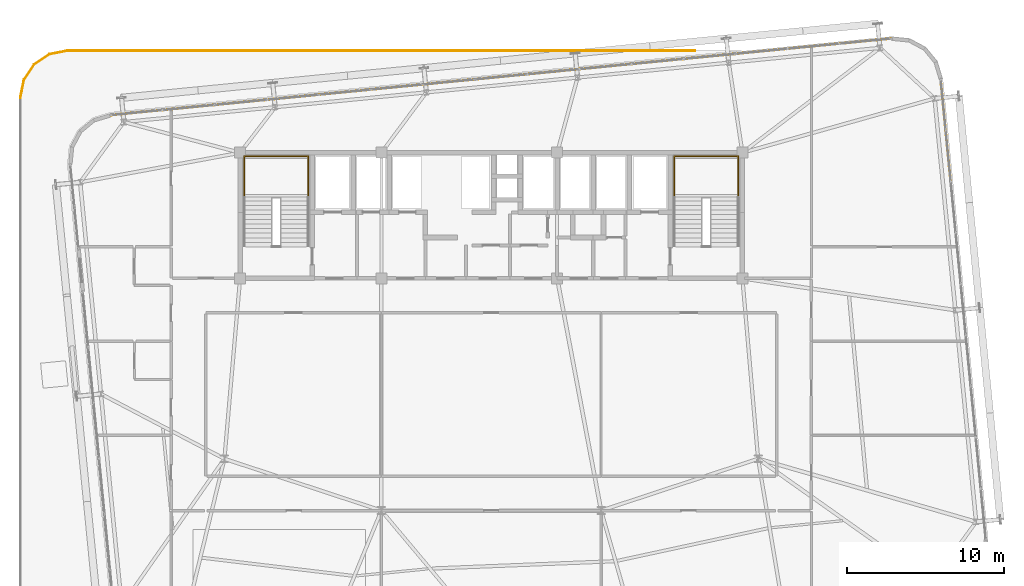
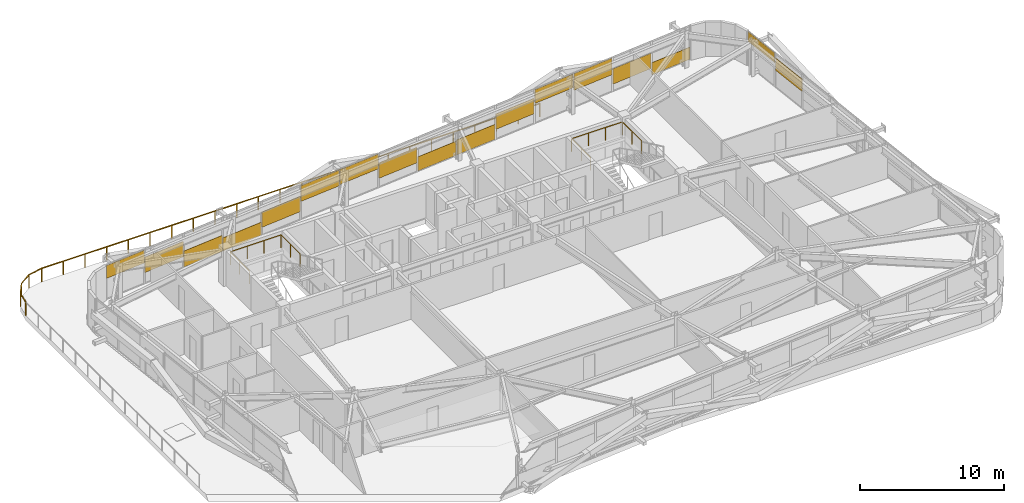
# One storey, part 51 of 51: 17 coverings, 7 railings.
"""IFC4 building model written with IfcOpenShell, lengths in metres."""

from ifc_helpers import new_model, si_unit, direction, frame, origin, origin_2d, place, context, subcontext, project, spatial, rectangle, extrude, source, transform, mapped, material, layer, layer_set, type_object, element, save


model = new_model("IFC4")

# Units and contexts
model_context = context("Model", 3, precision=1e-05, world=origin(), true_north=direction((0.0, 1.0)))
body_context = subcontext(model_context, "Body", "Model", "MODEL_VIEW")
ifc_project = project(units=[si_unit("LENGTHUNIT", "METRE"), si_unit("AREAUNIT", "SQUARE_METRE"), si_unit("VOLUMEUNIT", "CUBIC_METRE"), si_unit("PLANEANGLEUNIT", "RADIAN"), si_unit("MASSUNIT", "GRAM", prefix="KILO")], contexts=[model_context])

# Site, building, storey
site_placement = place(None, origin())
site = spatial("IfcSite", under=ifc_project, at=site_placement, CompositionType="ELEMENT")
building_placement = place(site_placement, origin())
building = spatial("IfcBuilding", under=site, at=building_placement, Name="Taldren Reach Tower", CompositionType="ELEMENT")
storey_placement = place(building_placement, frame((0.0, 0.0, 65.10009765625)))
storey = spatial("IfcBuildingStorey", under=building, at=storey_placement, Name="L19", CompositionType="ELEMENT", Elevation=65.10009765625)

# Railings
ifc_material_1 = material(Name="Steel Gr 350 (C350L0)", Category="steel")
ifc_layer_1 = layer(ifc_material_1, 0.050048828125)
ifc_layer_set_1 = layer_set([ifc_layer_1], Name="Steel Gr 350 (C350L0)")
railing_type_1 = type_object("IfcRailingType", Name="RL-STAIR-GR", PredefinedType="GUARDRAIL", material=ifc_layer_set_1)
for number, where, name in (
    (1, (19.260009765625, 29.135009765625, 1.574951171875), "Stair half-landing perimeter guard ST1-L19"),
    (2, (46.659912109375, 29.135009765625, 1.574951171875), "Stair half-landing perimeter guard ST2-L19"),
):
    element("IfcRailing", number, at=place(storey_placement, frame(where)), inside=storey, type_object=railing_type_1, Name=name, PredefinedType="GUARDRAIL", context=body_context, shape_type="SweptSolid", body=[
        extrude(rectangle(XDim=0.047852, YDim=0.047852, at=origin_2d()), frame((0.0, 0.0, 1.09619140625), z_axis=(0.0, 1.0, 0.0), x_axis=(-1.0, 0.0, 0.0)), (0.0, 0.0, 1.0), 2.64501953125),
        extrude(rectangle(XDim=0.047852, YDim=0.047852, at=origin_2d()), frame((0.0, 2.64501953125, 1.09619140625), z_axis=(1.0, 0.0, 0.0), x_axis=(0.0, 1.0, 0.0)), (0.0, 0.0, 1.0), 4.080078125),
        extrude(rectangle(XDim=0.047852, YDim=0.047852, at=origin_2d()), frame((4.080078125, 2.64501953125, 1.09619140625), z_axis=(0.0, -1.0, 0.0), x_axis=(1.0, 0.0, 0.0)), (0.0, 0.0, 1.0), 2.64501953125),
        extrude(rectangle(XDim=0.041992, YDim=0.041992, at=origin_2d()), origin(), (0.0, 0.0, 1.0), 1.072021484375),
        extrude(rectangle(XDim=0.041992, YDim=0.041992, at=origin_2d()), frame((0.0, 1.322509765625, 0.0)), (0.0, 0.0, 1.0), 1.072021484375),
        extrude(rectangle(XDim=0.041992, YDim=0.041992, at=origin_2d()), frame((0.0, 2.64501953125, 0.0)), (0.0, 0.0, 1.0), 1.072021484375),
        extrude(rectangle(XDim=0.041992, YDim=0.041992, at=origin_2d()), frame((1.360107421875, 2.64501953125, 0.0)), (0.0, 0.0, 1.0), 1.072021484375),
        extrude(rectangle(XDim=0.041992, YDim=0.041992, at=origin_2d()), frame((2.719970703125, 2.64501953125, 0.0)), (0.0, 0.0, 1.0), 1.072021484375),
        extrude(rectangle(XDim=0.041992, YDim=0.041992, at=origin_2d()), frame((4.080078125, 2.64501953125, 0.0)), (0.0, 0.0, 1.0), 1.072021484375),
        extrude(rectangle(XDim=0.041992, YDim=0.041992, at=origin_2d()), frame((4.080078125, 1.322509765625, 0.0)), (0.0, 0.0, 1.0), 1.072021484375),
        extrude(rectangle(XDim=0.041992, YDim=0.041992, at=origin_2d()), frame((4.080078125, 0.0, 0.0)), (0.0, 0.0, 1.0), 1.072021484375),
    ])
ifc_material_2 = material(Name="Laminated Glass and Pale-Anodised Aluminium Balustrade", Category="aluminium")
ifc_layer_2 = layer(ifc_material_2, 0.070068359375)
ifc_layer_set_2 = layer_set([ifc_layer_2], Name="Laminated Glass and Pale-Anodised Aluminium Balustrade")
railing_type_2 = type_object("IfcRailingType", Name="RL-TERR-1150", PredefinedType="GUARDRAIL", material=ifc_layer_set_2)
railing_1_placement = place(storey_placement, frame((5.0, 35.5, 0.0)))
element("IfcRailing", 3, at=railing_1_placement, inside=storey, type_object=railing_type_2, Name="Outdoor terrace guardrail TERR-L19-1-05", PredefinedType="GUARDRAIL", context=body_context, shape_type="SweptSolid", body=[
    extrude(rectangle(XDim=0.047852, YDim=0.047852, at=origin_2d()), frame((0.0, 0.0, 1.1259765625), z_axis=(0.195233589627, 0.980756771825, 0.0), x_axis=(-0.980756771825, 0.195233589627, 0.0)), (0.0, 0.0, 1.0), 1.17041015625),
    extrude(rectangle(XDim=0.041992, YDim=0.041992, at=origin_2d()), origin(), (0.0, 0.0, 1.0), 1.101806640625),
    extrude(rectangle(XDim=0.041992, YDim=0.041992, at=origin_2d()), frame((0.228515625, 1.14794921875, 0.0)), (0.0, 0.0, 1.0), 1.101806640625),
])
railing_2_placement = place(storey_placement, frame((5.228515625, 36.64794921875, 0.0)))
element("IfcRailing", 4, at=railing_2_placement, inside=storey, type_object=railing_type_2, Name="Outdoor terrace guardrail TERR-L19-1-06", PredefinedType="GUARDRAIL", context=body_context, shape_type="SweptSolid", body=[
    extrude(rectangle(XDim=0.047852, YDim=0.047852, at=origin_2d()), frame((0.0, 0.0, 1.1259765625), z_axis=(0.555421960548, 0.83156866568, 0.0), x_axis=(-0.83156866568, 0.555421960548, 0.0)), (0.0, 0.0, 1.0), 1.170654296875),
    extrude(rectangle(XDim=0.041992, YDim=0.041992, at=origin_2d()), origin(), (0.0, 0.0, 1.0), 1.101806640625),
    extrude(rectangle(XDim=0.041992, YDim=0.041992, at=origin_2d()), frame((0.650146484375, 0.973388671875, 0.0)), (0.0, 0.0, 1.0), 1.101806640625),
])
railing_3_placement = place(storey_placement, frame((5.878662109375, 37.621337890625, 0.0)))
element("IfcRailing", 5, at=railing_3_placement, inside=storey, type_object=railing_type_2, Name="Outdoor terrace guardrail TERR-L19-1-07", PredefinedType="GUARDRAIL", context=body_context, shape_type="SweptSolid", body=[
    extrude(rectangle(XDim=0.047852, YDim=0.047852, at=origin_2d()), frame((0.0, 0.0, 1.1259765625), z_axis=(0.83156866568, 0.555421960548, 0.0), x_axis=(-0.555421960548, 0.83156866568, 0.0)), (0.0, 0.0, 1.0), 1.170654296875),
    extrude(rectangle(XDim=0.041992, YDim=0.041992, at=origin_2d()), origin(), (0.0, 0.0, 1.0), 1.101806640625),
    extrude(rectangle(XDim=0.041992, YDim=0.041992, at=origin_2d()), frame((0.973388671875, 0.650146484375, 0.0)), (0.0, 0.0, 1.0), 1.101806640625),
])
railing_4_placement = place(storey_placement, frame((6.85205078125, 38.271484375, 0.0)))
element("IfcRailing", 6, at=railing_4_placement, inside=storey, type_object=railing_type_2, Name="Outdoor terrace guardrail TERR-L19-1-08", PredefinedType="GUARDRAIL", context=body_context, shape_type="SweptSolid", body=[
    extrude(rectangle(XDim=0.047852, YDim=0.047852, at=origin_2d()), frame((0.0, 0.0, 1.1259765625), z_axis=(0.980756771825, 0.195233589627, 0.0), x_axis=(-0.195233589627, 0.980756771825, 0.0)), (0.0, 0.0, 1.0), 1.17041015625),
    extrude(rectangle(XDim=0.041992, YDim=0.041992, at=origin_2d()), origin(), (0.0, 0.0, 1.0), 1.101806640625),
    extrude(rectangle(XDim=0.041992, YDim=0.041992, at=origin_2d()), frame((1.14794921875, 0.228515625, 0.0)), (0.0, 0.0, 1.0), 1.101806640625),
])
railing_5_placement = place(storey_placement, frame((8.0, 38.5, 0.0)))
element("IfcRailing", 7, at=railing_5_placement, inside=storey, type_object=railing_type_2, Name="Outdoor terrace guardrail TERR-L19-1-09", PredefinedType="GUARDRAIL", context=body_context, shape_type="SweptSolid", body=[
    extrude(rectangle(XDim=0.047852, YDim=0.047852, at=origin_2d()), frame((0.0, 0.0, 1.1259765625), z_axis=(1.0, 0.0, 0.0), x_axis=(0.0, 1.0, 0.0)), (0.0, 0.0, 1.0), 39.990966796875),
    extrude(rectangle(XDim=0.041992, YDim=0.041992, at=origin_2d()), origin(), (0.0, 0.0, 1.0), 1.101806640625),
    extrude(rectangle(XDim=0.041992, YDim=0.041992, at=origin_2d()), frame((1.73876953125, 0.0, 0.0)), (0.0, 0.0, 1.0), 1.101806640625),
    extrude(rectangle(XDim=0.041992, YDim=0.041992, at=origin_2d()), frame((3.4775390625, 0.0, 0.0)), (0.0, 0.0, 1.0), 1.101806640625),
    extrude(rectangle(XDim=0.041992, YDim=0.041992, at=origin_2d()), frame((5.21630859375, 0.0, 0.0)), (0.0, 0.0, 1.0), 1.101806640625),
    extrude(rectangle(XDim=0.041992, YDim=0.041992, at=origin_2d()), frame((6.954833984375, 0.0, 0.0)), (0.0, 0.0, 1.0), 1.101806640625),
    extrude(rectangle(XDim=0.041992, YDim=0.041992, at=origin_2d()), frame((8.693603515625, 0.0, 0.0)), (0.0, 0.0, 1.0), 1.101806640625),
    extrude(rectangle(XDim=0.041992, YDim=0.041992, at=origin_2d()), frame((10.432373046875, 0.0, 0.0)), (0.0, 0.0, 1.0), 1.101806640625),
    extrude(rectangle(XDim=0.041992, YDim=0.041992, at=origin_2d()), frame((12.171142578125, 0.0, 0.0)), (0.0, 0.0, 1.0), 1.101806640625),
    extrude(rectangle(XDim=0.041992, YDim=0.041992, at=origin_2d()), frame((13.909912109375, 0.0, 0.0)), (0.0, 0.0, 1.0), 1.101806640625),
    extrude(rectangle(XDim=0.041992, YDim=0.041992, at=origin_2d()), frame((15.648681640625, 0.0, 0.0)), (0.0, 0.0, 1.0), 1.101806640625),
    extrude(rectangle(XDim=0.041992, YDim=0.041992, at=origin_2d()), frame((17.387451171875, 0.0, 0.0)), (0.0, 0.0, 1.0), 1.101806640625),
    extrude(rectangle(XDim=0.041992, YDim=0.041992, at=origin_2d()), frame((19.126220703125, 0.0, 0.0)), (0.0, 0.0, 1.0), 1.101806640625),
    extrude(rectangle(XDim=0.041992, YDim=0.041992, at=origin_2d()), frame((20.86474609375, 0.0, 0.0)), (0.0, 0.0, 1.0), 1.101806640625),
    extrude(rectangle(XDim=0.041992, YDim=0.041992, at=origin_2d()), frame((22.603515625, 0.0, 0.0)), (0.0, 0.0, 1.0), 1.101806640625),
    extrude(rectangle(XDim=0.041992, YDim=0.041992, at=origin_2d()), frame((24.34228515625, 0.0, 0.0)), (0.0, 0.0, 1.0), 1.101806640625),
    extrude(rectangle(XDim=0.041992, YDim=0.041992, at=origin_2d()), frame((26.0810546875, 0.0, 0.0)), (0.0, 0.0, 1.0), 1.101806640625),
    extrude(rectangle(XDim=0.041992, YDim=0.041992, at=origin_2d()), frame((27.81982421875, 0.0, 0.0)), (0.0, 0.0, 1.0), 1.101806640625),
    extrude(rectangle(XDim=0.041992, YDim=0.041992, at=origin_2d()), frame((29.55859375, 0.0, 0.0)), (0.0, 0.0, 1.0), 1.101806640625),
    extrude(rectangle(XDim=0.041992, YDim=0.041992, at=origin_2d()), frame((31.29736328125, 0.0, 0.0)), (0.0, 0.0, 1.0), 1.101806640625),
    extrude(rectangle(XDim=0.041992, YDim=0.041992, at=origin_2d()), frame((33.0361328125, 0.0, 0.0)), (0.0, 0.0, 1.0), 1.101806640625),
    extrude(rectangle(XDim=0.041992, YDim=0.041992, at=origin_2d()), frame((34.774658203125, 0.0, 0.0)), (0.0, 0.0, 1.0), 1.101806640625),
    extrude(rectangle(XDim=0.041992, YDim=0.041992, at=origin_2d()), frame((36.513427734375, 0.0, 0.0)), (0.0, 0.0, 1.0), 1.101806640625),
    extrude(rectangle(XDim=0.041992, YDim=0.041992, at=origin_2d()), frame((38.252197265625, 0.0, 0.0)), (0.0, 0.0, 1.0), 1.101806640625),
    extrude(rectangle(XDim=0.041992, YDim=0.041992, at=origin_2d()), frame((39.990966796875, 0.0, 0.0)), (0.0, 0.0, 1.0), 1.101806640625),
])

# Coverings
ifc_material_3 = material(Name="Pale Champagne Fluoropolymer Aluminium Spandrel Cladding", Category="aluminium")
ifc_layer_3 = layer(ifc_material_3, 0.0439453125)
ifc_layer_set_3 = layer_set([ifc_layer_3], Name="Pale Champagne Fluoropolymer Aluminium Spandrel Cladding")
covering_type = type_object("IfcCoveringType", Name="CV-CLAD-044", PredefinedType="CLADDING", material=ifc_layer_set_3)
shared_shape_1 = source(origin(), body_context, "Body", "SweptSolid", [
    extrude(rectangle(XDim=3.23583984375, YDim=0.0439453125, at=origin_2d()), origin(), (0.0, 0.0, 1.0), 1.094970703125),
])
covering_1_placement = place(storey_placement, frame((12.42578125, 34.550537109375, 1.77978515625), z_axis=(0.0, 0.0, 1.0), x_axis=(-0.995227390247, -0.097582999046, 0.0)))
element("IfcCovering", 8, at=covering_1_placement, inside=storey, type_object=covering_type, Name="Diagrid closure cladding strip CW-3 panel 15.1 1", PredefinedType="CLADDING", context=body_context, shape_type="MappedRepresentation", body=[
    mapped(shared_shape_1, transform((0.0, 0.0, 0.0), scale=1.0)),
])
shared_shape_2 = source(origin(), body_context, "Body", "SweptSolid", [
    extrude(rectangle(XDim=3.268310546875, YDim=0.0439453125, at=origin_2d()), origin(), (0.0, 0.0, 1.0), 1.3046875),
])
for number, where, z_axis, x_axis, name in (
    (9, (55.5361328125, 38.777587890625, 0.621826171875), (0.0, 0.0, 1.0), (-0.995227390247, -0.097582999046, 0.0), "Diagrid closure cladding strip CW-3 panel 2.1 1"),
    (10, (45.583740234375, 37.8017578125, 0.86279296875), (0.0, 0.0, 1.0), (-0.995227390247, -0.097582999046, 0.0), "Diagrid closure cladding strip CW-3 panel 5.1 1"),
    (11, (35.631591796875, 36.825927734375, 0.782470703125), (0.0, 0.0, 1.0), (-0.995227390247, -0.097582999046, 0.0), "Diagrid closure cladding strip CW-3 panel 8.1 1"),
    (12, (25.67919921875, 35.85009765625, 0.7021484375), (0.0, 0.0, 1.0), (-0.995227390247, -0.097582999046, 0.0), "Diagrid closure cladding strip CW-3 panel 11.1 1"),
    (13, (15.72705078125, 34.874267578125, 0.943115234375), (0.0, 0.0, 1.0), (-0.995227390247, -0.097582999046, 0.0), "Diagrid closure cladding strip CW-3 panel 14.1 1"),
):
    element("IfcCovering", number, at=place(storey_placement, frame(where, z_axis=z_axis, x_axis=x_axis)), inside=storey, type_object=covering_type, Name=name, PredefinedType="CLADDING", context=body_context, shape_type="MappedRepresentation", body=[
        mapped(shared_shape_2, transform((0.0, 0.0, 0.0), scale=1.0)),
    ])
shared_shape_3 = source(origin(), body_context, "Body", "SweptSolid", [
    extrude(rectangle(XDim=3.268310546875, YDim=0.0439453125, at=origin_2d()), origin(), (0.0, 0.0, 1.0), 1.356201171875),
])
covering_2_placement = place(storey_placement, frame((19.04443359375, 35.199462890625, 0.0546875), z_axis=(0.0, 0.0, 1.0), x_axis=(-0.995227390247, -0.097582999046, 0.0)))
element("IfcCovering", 14, at=covering_2_placement, inside=storey, type_object=covering_type, Name="Diagrid closure cladding strip CW-3 panel 13.1 1", PredefinedType="CLADDING", context=body_context, shape_type="MappedRepresentation", body=[
    mapped(shared_shape_3, transform((0.0, 0.0, 0.0), scale=1.0)),
])
shared_shape_4 = source(origin(), body_context, "Body", "SweptSolid", [
    extrude(rectangle(XDim=3.268310546875, YDim=0.0439453125, at=origin_2d()), origin(), (0.0, 0.0, 1.0), 1.115234375),
])
covering_3_placement = place(storey_placement, frame((22.36181640625, 35.52490234375, 0.054931640625), z_axis=(0.0, 0.0, 1.0), x_axis=(-0.995227390247, -0.097582999046, 0.0)))
element("IfcCovering", 15, at=covering_3_placement, inside=storey, type_object=covering_type, Name="Diagrid closure cladding strip CW-3 panel 12.1 1", PredefinedType="CLADDING", context=body_context, shape_type="MappedRepresentation", body=[
    mapped(shared_shape_4, transform((0.0, 0.0, 0.0), scale=1.0)),
])
shared_shape_5 = source(origin(), body_context, "Body", "SweptSolid", [
    extrude(rectangle(XDim=3.268310546875, YDim=0.0439453125, at=origin_2d()), origin(), (0.0, 0.0, 1.0), 1.3359375),
])
covering_4_placement = place(storey_placement, frame((28.996826171875, 36.17529296875, 1.5390625), z_axis=(0.0, 0.0, 1.0), x_axis=(-0.995227390247, -0.097582999046, 0.0)))
element("IfcCovering", 16, at=covering_4_placement, inside=storey, type_object=covering_type, Name="Diagrid closure cladding strip CW-3 panel 10.1 1", PredefinedType="CLADDING", context=body_context, shape_type="MappedRepresentation", body=[
    mapped(shared_shape_5, transform((0.0, 0.0, 0.0), scale=1.0)),
])
shared_shape_6 = source(origin(), body_context, "Body", "SweptSolid", [
    extrude(rectangle(XDim=3.268310546875, YDim=0.0439453125, at=origin_2d()), origin(), (0.0, 0.0, 1.0), 1.255615234375),
])
covering_5_placement = place(storey_placement, frame((32.314208984375, 36.500732421875, 1.619140625), z_axis=(0.0, 0.0, 1.0), x_axis=(-0.995227390247, -0.097582999046, 0.0)))
element("IfcCovering", 17, at=covering_5_placement, inside=storey, type_object=covering_type, Name="Diagrid closure cladding strip CW-3 panel 9.1 1", PredefinedType="CLADDING", context=body_context, shape_type="MappedRepresentation", body=[
    mapped(shared_shape_6, transform((0.0, 0.0, 0.0), scale=1.0)),
])
shared_shape_7 = source(origin(), body_context, "Body", "SweptSolid", [
    extrude(rectangle(XDim=3.268310546875, YDim=0.0439453125, at=origin_2d()), origin(), (0.0, 0.0, 1.0), 1.195556640625),
])
covering_6_placement = place(storey_placement, frame((38.948974609375, 37.151123046875, 0.0546875), z_axis=(0.0, 0.0, 1.0), x_axis=(-0.995227390247, -0.097582999046, 0.0)))
element("IfcCovering", 18, at=covering_6_placement, inside=storey, type_object=covering_type, Name="Diagrid closure cladding strip CW-3 panel 7.1 1", PredefinedType="CLADDING", context=body_context, shape_type="MappedRepresentation", body=[
    mapped(shared_shape_7, transform((0.0, 0.0, 0.0), scale=1.0)),
])
shared_shape_8 = source(origin(), body_context, "Body", "SweptSolid", [
    extrude(rectangle(XDim=3.268310546875, YDim=0.0439453125, at=origin_2d()), origin(), (0.0, 0.0, 1.0), 1.27587890625),
])
covering_7_placement = place(storey_placement, frame((42.266357421875, 37.4765625, 0.054931640625), z_axis=(0.0, 0.0, 1.0), x_axis=(-0.995227390247, -0.097582999046, 0.0)))
element("IfcCovering", 19, at=covering_7_placement, inside=storey, type_object=covering_type, Name="Diagrid closure cladding strip CW-3 panel 6.1 1", PredefinedType="CLADDING", context=body_context, shape_type="MappedRepresentation", body=[
    mapped(shared_shape_8, transform((0.0, 0.0, 0.0), scale=1.0)),
])
shared_shape_9 = source(origin(), body_context, "Body", "SweptSolid", [
    extrude(rectangle(XDim=3.268310546875, YDim=0.0439453125, at=origin_2d()), origin(), (0.0, 0.0, 1.0), 1.17529296875),
])
covering_8_placement = place(storey_placement, frame((48.9013671875, 38.126953125, 1.69970703125), z_axis=(0.0, 0.0, 1.0), x_axis=(-0.995227390247, -0.097582999046, 0.0)))
element("IfcCovering", 20, at=covering_8_placement, inside=storey, type_object=covering_type, Name="Diagrid closure cladding strip CW-3 panel 4.1 1", PredefinedType="CLADDING", context=body_context, shape_type="MappedRepresentation", body=[
    mapped(shared_shape_9, transform((0.0, 0.0, 0.0), scale=1.0)),
])
shared_shape_10 = source(origin(), body_context, "Body", "SweptSolid", [
    extrude(rectangle(XDim=3.268310546875, YDim=0.0439453125, at=origin_2d()), origin(), (0.0, 0.0, 1.0), 1.416259765625),
])
covering_9_placement = place(storey_placement, frame((52.21875, 38.452392578125, 1.45849609375), z_axis=(0.0, 0.0, 1.0), x_axis=(-0.995227390247, -0.097582999046, 0.0)))
element("IfcCovering", 21, at=covering_9_placement, inside=storey, type_object=covering_type, Name="Diagrid closure cladding strip CW-3 panel 3.1 1", PredefinedType="CLADDING", context=body_context, shape_type="MappedRepresentation", body=[
    mapped(shared_shape_10, transform((0.0, 0.0, 0.0), scale=1.0)),
])
shared_shape_11 = source(origin(), body_context, "Body", "SweptSolid", [
    extrude(rectangle(XDim=3.23583984375, YDim=0.0439453125, at=origin_2d()), origin(), (0.0, 0.0, 1.0), 1.034912109375),
])
covering_10_placement = place(storey_placement, frame((58.83740234375, 39.101318359375, 0.0546875), z_axis=(0.0, 0.0, 1.0), x_axis=(-0.995227390247, -0.097582999046, 0.0)))
element("IfcCovering", 22, at=covering_10_placement, inside=storey, type_object=covering_type, Name="Diagrid closure cladding strip CW-3 panel 1.1 1", PredefinedType="CLADDING", context=body_context, shape_type="MappedRepresentation", body=[
    mapped(shared_shape_11, transform((0.0, 0.0, 0.0), scale=1.0)),
])
shared_shape_12 = source(origin(), body_context, "Body", "SweptSolid", [
    extrude(rectangle(XDim=3.18017578125, YDim=0.0439453125, at=origin_2d()), origin(), (0.0, 0.0, 1.0), 0.83056640625),
])
covering_11_placement = place(storey_placement, frame((63.79931640625, 35.051025390625, 2.04443359375), z_axis=(0.0, 0.0, 1.0), x_axis=(-0.09758274098, 0.99522741555, 0.0)))
element("IfcCovering", 23, at=covering_11_placement, inside=storey, type_object=covering_type, Name="Diagrid closure cladding strip CW-3 panel 9.1 1", PredefinedType="CLADDING", context=body_context, shape_type="MappedRepresentation", body=[
    mapped(shared_shape_12, transform((0.0, 0.0, 0.0), scale=1.0)),
])
shared_shape_13 = source(origin(), body_context, "Body", "SweptSolid", [
    extrude(rectangle(XDim=3.212890625, YDim=0.0439453125, at=origin_2d()), origin(), (0.0, 0.0, 1.0), 1.053466796875),
])
covering_12_placement = place(storey_placement, frame((64.117431640625, 31.80517578125, 1.45654296875), z_axis=(0.0, 0.0, 1.0), x_axis=(-0.09758274098, 0.99522741555, 0.0)))
element("IfcCovering", 24, at=covering_12_placement, inside=storey, type_object=covering_type, Name="Diagrid closure cladding strip CW-3 panel 8.1 1", PredefinedType="CLADDING", context=body_context, shape_type="MappedRepresentation", body=[
    mapped(shared_shape_13, transform((0.0, 0.0, 0.0), scale=1.0)),
])

save(model, "model.ifc")
